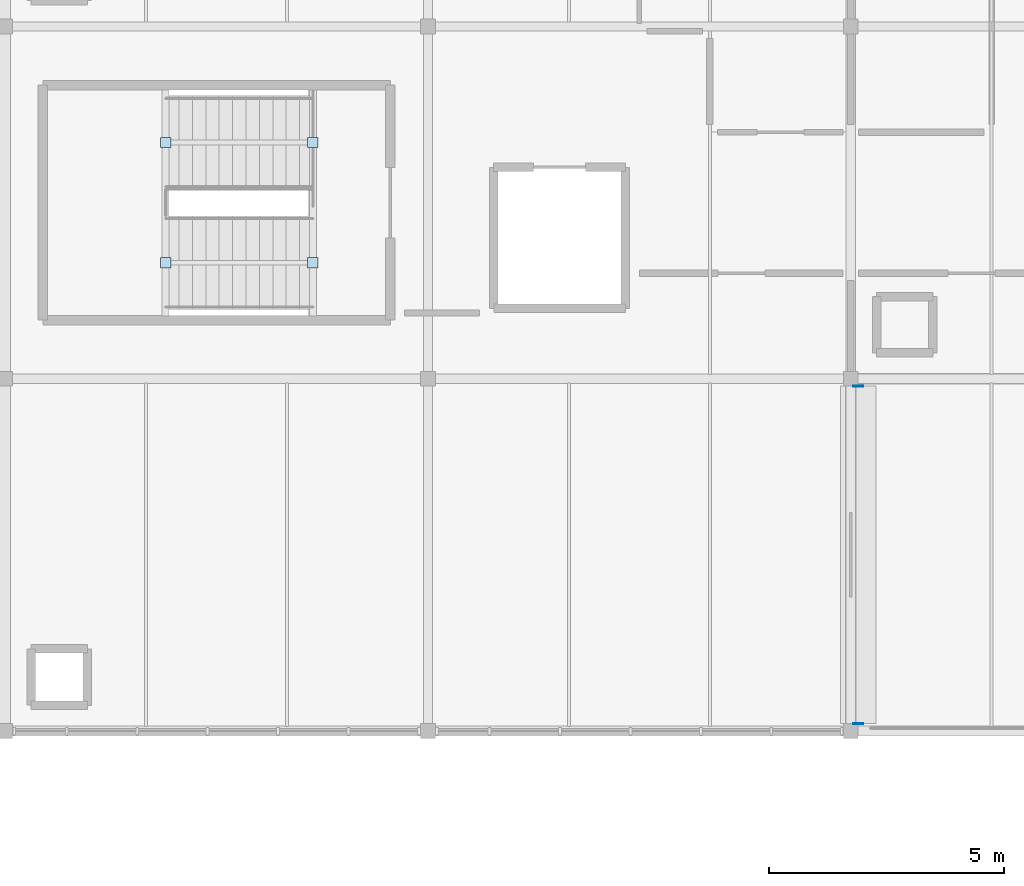
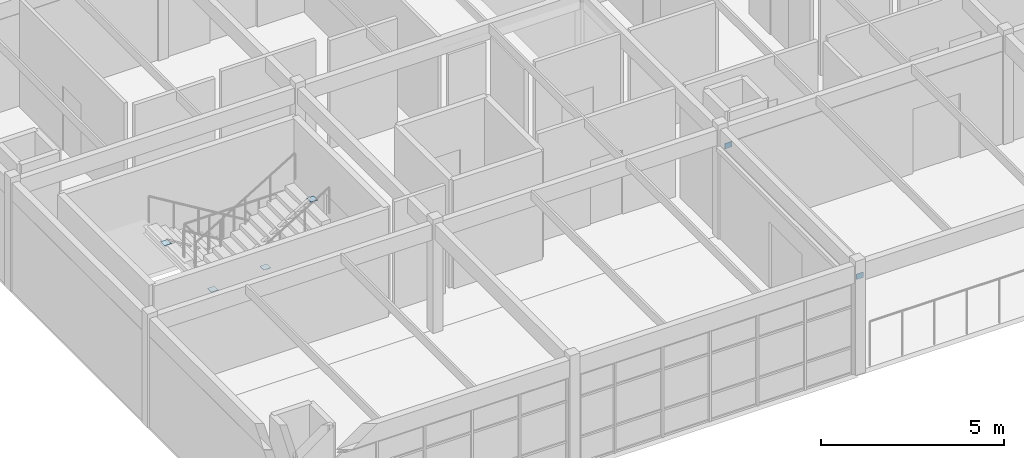
# One storey, part 16 of 24: 6 plates.
"""IFC4 building model written with IfcOpenShell, lengths in metres."""

from ifc_helpers import new_model, si_unit, direction, frame, origin, origin_2d, place, context, subcontext, project, spatial, rectangle, extrude, material, layer, layer_set, type_object, element, save


model = new_model("IFC4")

# Units and contexts
model_context = context("Model", 3, precision=1e-05, world=origin(), true_north=direction((0.0, 1.0)))
body_context = subcontext(model_context, "Body", "Model", "MODEL_VIEW")
ifc_project = project(units=[si_unit("LENGTHUNIT", "METRE"), si_unit("AREAUNIT", "SQUARE_METRE"), si_unit("VOLUMEUNIT", "CUBIC_METRE"), si_unit("PLANEANGLEUNIT", "RADIAN"), si_unit("MASSUNIT", "GRAM", prefix="KILO")], contexts=[model_context])

# Site, building, storey
site_placement = place(None, origin())
site = spatial("IfcSite", under=ifc_project, at=site_placement, CompositionType="ELEMENT")
building_placement = place(site_placement, origin())
building = spatial("IfcBuilding", under=site, at=building_placement, Name="Marnridge Secondary College", CompositionType="ELEMENT")
storey_placement = place(building_placement, frame((0.0, 0.0, 16.10009765625)))
storey = spatial("IfcBuildingStorey", under=building, at=storey_placement, Name="L04", CompositionType="ELEMENT", Elevation=16.10009765625)

# Plates
ifc_material_1 = material(Name="Structural steel plate Grade 350 (AS/NZS 3678, fy = 350 MPa <=12mm, 340 MPa 12-20mm, 330 MPa 20-50mm)", Category="steel")
ifc_layer_1 = layer(ifc_material_1, 0.010009765625)
ifc_layer_set_1 = layer_set([ifc_layer_1], Name="PT-CAP-INT")
plate_type_1 = type_object("IfcPlateType", Name="PT-CAP-INT", PredefinedType="SHEET", material=ifc_layer_set_1)
for number, where, z_axis, x_axis, name in (
    (1, (60.54833984375, 57.530029296875, -0.1220703125), (0.0, 0.0, 1.0), (-1.0, 0.0, 0.0), "Tube end cap STR-009-EC1"),
    (2, (57.416748046875, 57.530029296875, 1.7861328125), (0.0, 0.0, 1.0), (-1.0, 0.0, 0.0), "Tube end cap STR-009-EC2"),
    (3, (57.416748046875, 54.969970703125, 1.7880859375), (0.0, 0.0, 1.0), (1.0, 0.0, 0.0), "Tube end cap STR-010-EC1"),
    (4, (60.54833984375, 54.969970703125, 3.69580078125), (0.0, 0.0, 1.0), (1.0, 0.0, 0.0), "Tube end cap STR-010-EC2"),
):
    element("IfcPlate", number, at=place(storey_placement, frame(where, z_axis=z_axis, x_axis=x_axis)), inside=storey, type_object=plate_type_1, Name=name, PredefinedType="SHEET", context=body_context, shape_type="SweptSolid", body=[
        extrude(rectangle(XDim=0.219970703125, YDim=0.219970703125, at=origin_2d()), origin(), (0.0, 0.0, 1.0), 0.010009765625),
    ])
ifc_material_2 = material(Name="Structural steel plate Grade 350 (AS/NZS 3678, fy = 350 MPa <=12mm, 340 MPa 12-20mm, 330 MPa 20-50mm)", Category="steel")
ifc_layer_2 = layer(ifc_material_2, 0.02392578125)
ifc_layer_set_2 = layer_set([ifc_layer_2], Name="PT-GUS-GSN2")
plate_type_2 = type_object("IfcPlateType", Name="PT-GUS-GSN2", PredefinedType="USERDEFINED", material=ifc_layer_set_2)
for number, where, z_axis, x_axis, name in (
    (5, (72.159912109375, 52.342529296875, 2.94189453125), (0.0, 0.0, 1.0), (1.0, 0.0, 0.0), "Solar fin end bracket plate SFN-0027-BP1"),
    (6, (72.159912109375, 45.157470703125, 2.94189453125), (0.0, 0.0, 1.0), (1.0, 0.0, 0.0), "Solar fin end bracket plate SFN-0027-BP2"),
):
    element("IfcPlate", number, at=place(storey_placement, frame(where, z_axis=z_axis, x_axis=x_axis)), inside=storey, type_object=plate_type_2, Name=name, ObjectType="GUSSET PLATE", PredefinedType="USERDEFINED", context=body_context, shape_type="SweptSolid", body=[
        extrude(rectangle(XDim=0.219970703125, YDim=0.01806640625, at=origin_2d()), origin(), (0.0, 0.0, 1.0), 0.179931640625),
    ])

save(model, "model.ifc")
